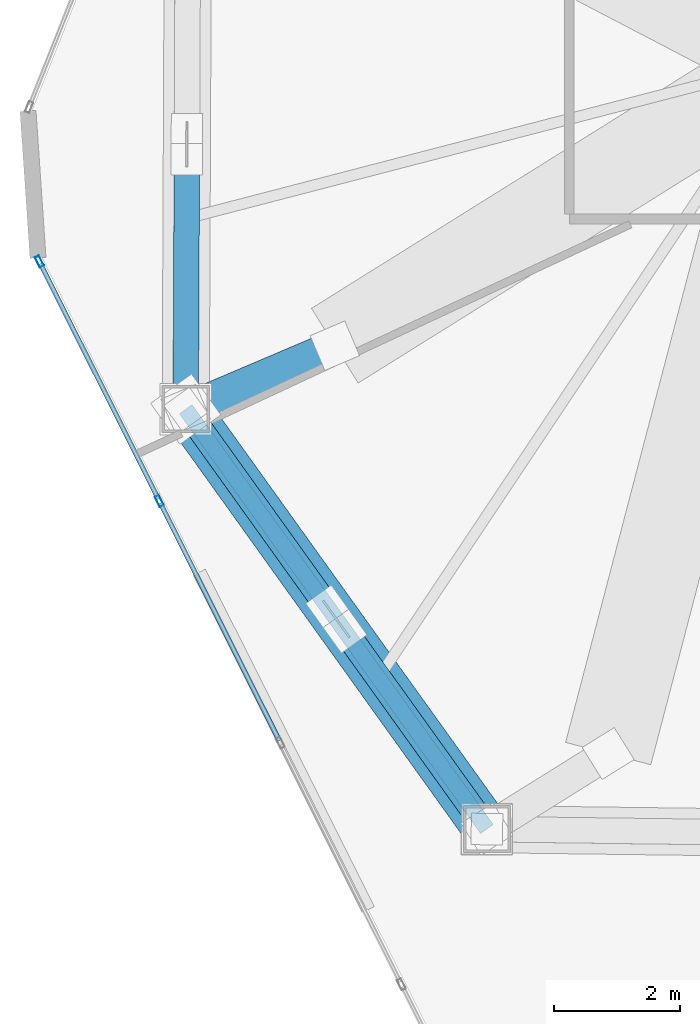
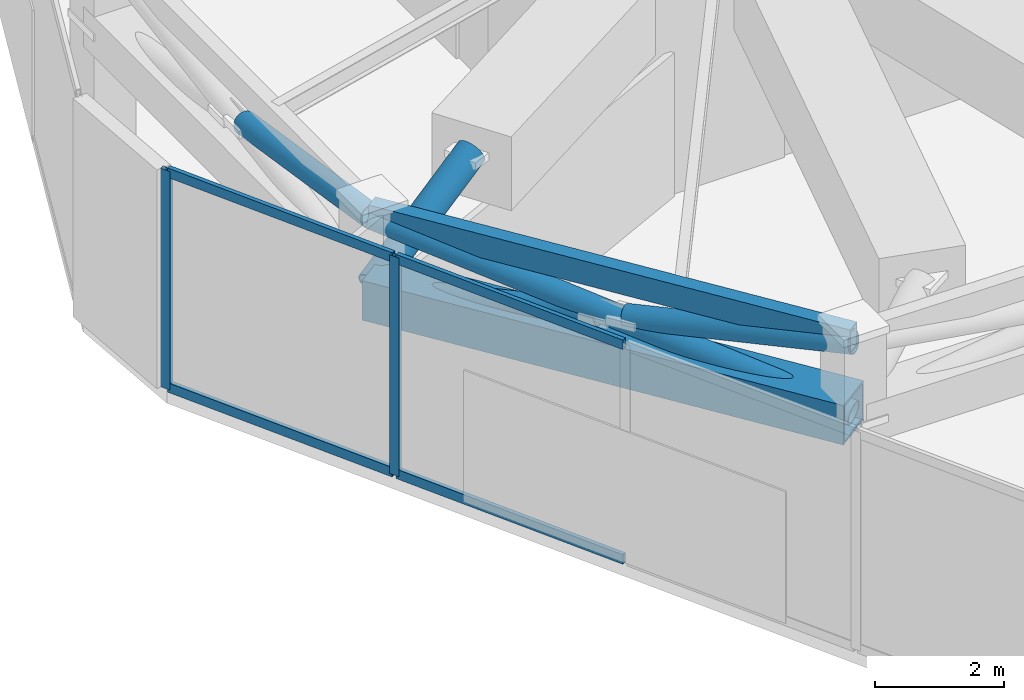
# One storey, part 3 of 21: 12 members, 1 beam, 1 element without a shape of its own.
"""IFC4 building model written with IfcOpenShell, lengths in metres."""

from ifc_helpers import new_model, si_unit, direction, frame, origin, origin_2d, place, context, subcontext, project, spatial, hollow_rectangle, hollow_circle, extrude, source, transform, mapped, material, layer, layer_set, material_profile, profile_set, type_object, type_shapes, element, aggregate, save


model = new_model("IFC4")

# Units and contexts
model_context = context("Model", 3, precision=1e-05, world=origin(), true_north=direction((0.0, 1.0)))
body_context = subcontext(model_context, "Body", "Model", "MODEL_VIEW")
ifc_project = project(units=[si_unit("LENGTHUNIT", "METRE"), si_unit("AREAUNIT", "SQUARE_METRE"), si_unit("VOLUMEUNIT", "CUBIC_METRE"), si_unit("PLANEANGLEUNIT", "RADIAN"), si_unit("MASSUNIT", "GRAM", prefix="KILO")], contexts=[model_context])

# Site, building, storey
site_placement = place(None, origin())
site = spatial("IfcSite", under=ifc_project, at=site_placement, CompositionType="ELEMENT")
building_placement = place(site_placement, origin())
building = spatial("IfcBuilding", under=site, at=building_placement, Name="Talar Marvaseh", CompositionType="ELEMENT")
storey_placement = place(building_placement, frame((0.0, 0.0, 162.39990234375)))
storey = spatial("IfcBuildingStorey", under=building, at=storey_placement, Name="L42", CompositionType="ELEMENT", Elevation=162.39990234375)

# Beam
ifc_material_1 = material(Name="Steel S355", Category="steel")
ifc_material_profile_1 = material_profile(ifc_material_1, hollow_rectangle(XDim=0.25, YDim=0.449951171875, WallThickness=0.01611328125, at=origin_2d()), Name="RHS450x250x16")
ifc_profile_set_1 = profile_set([ifc_material_profile_1], Name="Steel S355")
beam_type = type_object("IfcBeamType", Name="Zone 2 Perimeter Spandrel Beam RHS450x250x16", PredefinedType="SPANDREL", material=ifc_profile_set_1)
beam_placement = place(storey_placement, frame((13.89111328125, 13.299072265625, 3.925048828125), z_axis=(-0.582852871994, 0.812577706812, 0.0), x_axis=(-0.812577706812, -0.582852871994, 0.0)))
element("IfcBeam", 1, at=beam_placement, inside=storey, type_object=beam_type, Name="L42 Zone 2 Perimeter Spandrel Beam RHS450x250x16", PredefinedType="SPANDREL", context=body_context, shape_type="SweptSolid", body=[
    extrude(hollow_rectangle(XDim=0.25, YDim=0.449951171875, WallThickness=0.01611328125, at=origin_2d()), origin(), (0.0, 0.0, 1.0), 8.21826171875),
])

# Members
ifc_material_2 = material(Name="Steel S460", Category="steel")
ifc_material_profile_2 = material_profile(ifc_material_2, hollow_circle(Radius=0.25390625, WallThickness=0.02001953125, at=origin_2d()), Name="CHS508x20")
ifc_profile_set_2 = profile_set([ifc_material_profile_2], Name="Steel S460")
member_type_1 = type_object("IfcMemberType", Name="Crown Frame Diagonal Brace CHS508x20", PredefinedType="BRACE", material=ifc_profile_set_2)
shared_shape_1 = source(origin(), body_context, "Body", "SweptSolid", [
    extrude(hollow_circle(Radius=0.25390625, WallThickness=0.02001953125, at=origin_2d()), origin(), (0.0, 0.0, 1.0), 2.8017578125),
])
type_shapes(member_type_1, [shared_shape_1])
member_1_placement = place(storey_placement, frame((9.10107421875, 19.97705078125, 2.550048828125), z_axis=(0.846230742361, 0.360155664522, 0.392659430036), x_axis=(-0.391608077586, 0.920132117454, 0.0)))
element("IfcMember", 2, at=member_1_placement, inside=storey, type_object=member_type_1, Name="L42 Setback Transfer Raked Strut 9", PredefinedType="BRACE", context=body_context, shape_type="MappedRepresentation", body=[
    mapped(shared_shape_1, transform((0.0, 0.0, 0.0), x_axis=(1.0, 0.0, 0.0), y_axis=(0.0, 1.0, 0.0), z_axis=(0.0, 0.0, 1.0), scale=1.0)),
])
ifc_material_profile_3 = material_profile(ifc_material_2, hollow_rectangle(XDim=0.75, YDim=0.75, WallThickness=0.0400390625, at=origin_2d()), Name="BOX750x750x40")
ifc_profile_set_3 = profile_set([ifc_material_profile_3], Name="Steel S460")
member_type_2 = type_object("IfcMemberType", Name="Belt Truss Chord Member BOX750x750x40", PredefinedType="CHORD", material=ifc_profile_set_3)
shared_shape_2 = source(origin(), body_context, "Body", "SweptSolid", [
    extrude(hollow_rectangle(XDim=0.75, YDim=0.75, WallThickness=0.0400390625, at=origin_2d()), origin(), (0.0, 0.0, 1.0), 8.21826171875),
])
type_shapes(member_type_2, [shared_shape_2])
member_2_placement = place(storey_placement, frame((13.89111328125, 13.299072265625, 2.5), z_axis=(-0.582852871994, 0.812577706812, 0.0), x_axis=(-0.812577706812, -0.582852871994, 0.0)))
element("IfcMember", 3, at=member_2_placement, inside=storey, type_object=member_type_2, Name="L42 Belt Truss Bottom Chord 7", PredefinedType="CHORD", context=body_context, shape_type="MappedRepresentation", body=[
    mapped(shared_shape_2, transform((0.0, 0.0, 0.0), x_axis=(1.0, 0.0, 0.0), y_axis=(0.0, 1.0, 0.0), z_axis=(0.0, 0.0, 1.0), scale=1.0)),
])
ifc_material_profile_4 = material_profile(ifc_material_2, hollow_circle(Radius=0.203125, WallThickness=0.01611328125, at=origin_2d()), Name="CHS406x16")
ifc_profile_set_4 = profile_set([ifc_material_profile_4], Name="Steel S460")
member_type_3 = type_object("IfcMemberType", Name="Belt Truss Diagonal Brace CHS406x16", PredefinedType="BRACE", material=ifc_profile_set_4)
shared_shape_3 = source(origin(), body_context, "Body", "SweptSolid", [
    extrude(hollow_circle(Radius=0.203125, WallThickness=0.01611328125, at=origin_2d()), origin(), (0.0, 0.0, 1.0), 8.328369140625),
])
member_3_placement = place(storey_placement, frame((13.89111328125, 13.299072265625, 2.5), z_axis=(-0.575143563175, 0.801829861545, 0.162107232638), x_axis=(-0.812577706812, -0.582852871994, 0.0)))
element("IfcMember", 4, at=member_3_placement, inside=storey, type_object=member_type_3, Name="L42 Belt Truss Continuous Diagonal 7", PredefinedType="BRACE", context=body_context, shape_type="MappedRepresentation", body=[
    mapped(shared_shape_3, transform((0.0, 0.0, 0.0), x_axis=(1.0, 0.0, 0.0), y_axis=(0.0, 1.0, 0.0), z_axis=(0.0, 0.0, 1.0), scale=1.0)),
])
shared_shape_4 = source(origin(), body_context, "Body", "SweptSolid", [
    extrude(hollow_circle(Radius=0.203125, WallThickness=0.01611328125, at=origin_2d()), origin(), (0.0, 0.0, 1.0), 3.92431640625),
])
member_4_placement = place(storey_placement, frame((9.10107421875, 19.97705078125, 2.5), z_axis=(0.575095085713, -0.801860726932, 0.162126546232), x_axis=(0.812611598929, 0.582805618784, 0.0)))
element("IfcMember", 5, at=member_4_placement, inside=storey, type_object=member_type_3, Name="L42 Belt Truss Split Diagonal Lower 7", PredefinedType="BRACE", context=body_context, shape_type="MappedRepresentation", body=[
    mapped(shared_shape_4, transform((0.0, 0.0, 0.0), x_axis=(1.0, 0.0, 0.0), y_axis=(0.0, 1.0, 0.0), z_axis=(0.0, 0.0, 1.0), scale=1.0)),
])
shared_shape_5 = source(origin(), body_context, "Body", "SweptSolid", [
    extrude(hollow_circle(Radius=0.203125, WallThickness=0.01611328125, at=origin_2d()), origin(), (0.0, 0.0, 1.0), 3.924072265625),
])
member_5_placement = place(storey_placement, frame((11.634033203125, 16.445556640625, 3.214111328125), z_axis=(0.575171211071, -0.801817908954, 0.162068253633), x_axis=(0.812560321703, 0.582877108484, 0.0)))
element("IfcMember", 6, at=member_5_placement, inside=storey, type_object=member_type_3, Name="L42 Belt Truss Split Diagonal Upper 7", PredefinedType="BRACE", context=body_context, shape_type="MappedRepresentation", body=[
    mapped(shared_shape_5, transform((0.0, 0.0, 0.0), x_axis=(1.0, 0.0, 0.0), y_axis=(0.0, 1.0, 0.0), z_axis=(0.0, 0.0, 1.0), scale=1.0)),
])
shared_shape_6 = source(origin(), body_context, "Body", "SweptSolid", [
    extrude(hollow_circle(Radius=0.203125, WallThickness=0.01611328125, at=origin_2d()), origin(), (0.0, 0.0, 1.0), 4.026123046875),
])
type_shapes(member_type_3, [shared_shape_3, shared_shape_4, shared_shape_5, shared_shape_6])
member_6_placement = place(storey_placement, frame((9.118408203125, 23.952392578125, 3.213134765625), z_axis=(-0.004305418824, -0.987396263627, 0.158208981871), x_axis=(0.999990493697, -0.004360334401, 0.0)))
element("IfcMember", 7, at=member_6_placement, inside=storey, type_object=member_type_3, Name="L42 Belt Truss Split Diagonal Upper 8", PredefinedType="BRACE", context=body_context, shape_type="MappedRepresentation", body=[
    mapped(shared_shape_6, transform((0.0, 0.0, 0.0), x_axis=(1.0, 0.0, 0.0), y_axis=(0.0, 1.0, 0.0), z_axis=(0.0, 0.0, 1.0), scale=1.0)),
])

# Curtain wall, members
ifc_material_3 = material(Name="Architectural Aluminium", Category="aluminium")
ifc_layer = layer(ifc_material_3, 0.199951171875)
ifc_layer_set = layer_set([ifc_layer], Name="Architectural Aluminium")
curtain_wall_type = type_object("IfcCurtainWallType", Name="Unitised Acoustic Library Curtain Wall Z2", PredefinedType="NOTDEFINED", material=ifc_layer_set)
curtain_wall_placement = place(storey_placement, origin())
curtain_wall = element("IfcCurtainWall", 8, at=curtain_wall_placement, inside=storey, type_object=curtain_wall_type, Name="L42 Unitised Acoustic Library Curtain Wall Z2", PredefinedType="NOTDEFINED")
ifc_material_profile_5 = material_profile(ifc_material_3, hollow_rectangle(XDim=0.074951171875, YDim=0.179931640625, WallThickness=0.0048828125, at=origin_2d()), Name="RHS180x75x5")
ifc_profile_set_5 = profile_set([ifc_material_profile_5], Name="Architectural Aluminium")
member_type_4 = type_object("IfcMemberType", Name="Unitised Curtain Wall Transom RHS180x75x5", PredefinedType="USERDEFINED", material=ifc_profile_set_5)
shared_shape_7 = source(origin(), body_context, "Body", "SweptSolid", [
    extrude(hollow_rectangle(XDim=0.074951171875, YDim=0.179931640625, WallThickness=0.0048828125, at=origin_2d()), origin(), (0.0, 0.0, 1.0), 4.222900390625),
])
member_7_placement = place(storey_placement, frame((10.5888671875, 14.70751953125, 0.03759765625), z_axis=(-0.447699153665, 0.894184247126, 0.0), x_axis=(-0.894184247126, -0.447699153665, 0.0)))
member_7 = element("IfcMember", 9, at=member_7_placement, type_object=member_type_4, Name="CW-Z2 transom 3.1", ObjectType="TRANSOM", PredefinedType="USERDEFINED", context=body_context, shape_type="MappedRepresentation", body=[
    mapped(shared_shape_7, transform((0.0, 0.0, 0.0), x_axis=(1.0, 0.0, 0.0), y_axis=(0.0, 1.0, 0.0), z_axis=(0.0, 0.0, 1.0), scale=1.0)),
])
member_8_placement = place(storey_placement, frame((10.5888671875, 14.70751953125, 4.112548828125), z_axis=(-0.447699153665, 0.894184247126, 0.0), x_axis=(-0.894184247126, -0.447699153665, 0.0)))
member_8 = element("IfcMember", 10, at=member_8_placement, type_object=member_type_4, Name="CW-Z2 transom 3.2", ObjectType="TRANSOM", PredefinedType="USERDEFINED", context=body_context, shape_type="MappedRepresentation", body=[
    mapped(shared_shape_7, transform((0.0, 0.0, 0.0), x_axis=(1.0, 0.0, 0.0), y_axis=(0.0, 1.0, 0.0), z_axis=(0.0, 0.0, 1.0), scale=1.0)),
])
shared_shape_8 = source(origin(), body_context, "Body", "SweptSolid", [
    extrude(hollow_rectangle(XDim=0.074951171875, YDim=0.179931640625, WallThickness=0.0048828125, at=origin_2d()), origin(), (0.0, 0.0, 1.0), 4.185546875),
])
type_shapes(member_type_4, [shared_shape_7, shared_shape_8])
member_9_placement = place(storey_placement, frame((8.664794921875, 18.550537109375, 0.03759765625), z_axis=(-0.447726809499, 0.894170399899, 0.0), x_axis=(-0.894170399899, -0.447726809499, 0.0)))
member_9 = element("IfcMember", 11, at=member_9_placement, type_object=member_type_4, Name="CW-Z2 transom 4.1", ObjectType="TRANSOM", PredefinedType="USERDEFINED", context=body_context, shape_type="MappedRepresentation", body=[
    mapped(shared_shape_8, transform((0.0, 0.0, 0.0), x_axis=(1.0, 0.0, 0.0), y_axis=(0.0, 1.0, 0.0), z_axis=(0.0, 0.0, 1.0), scale=1.0)),
])
member_10_placement = place(storey_placement, frame((8.664794921875, 18.550537109375, 4.112548828125), z_axis=(-0.447726809499, 0.894170399899, 0.0), x_axis=(-0.894170399899, -0.447726809499, 0.0)))
member_10 = element("IfcMember", 12, at=member_10_placement, type_object=member_type_4, Name="CW-Z2 transom 4.2", ObjectType="TRANSOM", PredefinedType="USERDEFINED", context=body_context, shape_type="MappedRepresentation", body=[
    mapped(shared_shape_8, transform((0.0, 0.0, 0.0), x_axis=(1.0, 0.0, 0.0), y_axis=(0.0, 1.0, 0.0), z_axis=(0.0, 0.0, 1.0), scale=1.0)),
])
ifc_material_profile_6 = material_profile(ifc_material_3, hollow_rectangle(XDim=0.074951171875, YDim=0.179931640625, WallThickness=0.0048828125, at=origin_2d()), Name="RHS180x75x5")
ifc_profile_set_6 = profile_set([ifc_material_profile_6], Name="Architectural Aluminium")
member_type_5 = type_object("IfcMemberType", Name="Unitised Curtain Wall Standard Mullion RHS180x75x5", PredefinedType="MULLION", material=ifc_profile_set_6)
shared_shape_9 = source(origin(), body_context, "Body", "SweptSolid", [
    extrude(hollow_rectangle(XDim=0.074951171875, YDim=0.179931640625, WallThickness=0.0048828125, at=origin_2d()), origin(), (0.0, 0.0, 1.0), 4.150146484375),
])
type_shapes(member_type_5, [shared_shape_9])
member_11_placement = place(storey_placement, frame((8.681396484375, 18.51708984375, 0.0), z_axis=(0.0, 0.0, 1.0), x_axis=(-0.894182751668, -0.447702140513, 0.0)))
member_11 = element("IfcMember", 13, at=member_11_placement, type_object=member_type_5, Name="CW-Z2 mullion 4", PredefinedType="MULLION", context=body_context, shape_type="MappedRepresentation", body=[
    mapped(shared_shape_9, transform((0.0, 0.0, 0.0), x_axis=(1.0, 0.0, 0.0), y_axis=(0.0, 1.0, 0.0), z_axis=(0.0, 0.0, 1.0), scale=1.0)),
])
member_12_placement = place(storey_placement, frame((6.774169921875, 22.32666015625, 0.0), z_axis=(0.0, 0.0, 1.0), x_axis=(-0.894182751668, -0.447702140513, 0.0)))
member_12 = element("IfcMember", 14, at=member_12_placement, type_object=member_type_5, Name="CW-Z2 mullion 5", PredefinedType="MULLION", context=body_context, shape_type="MappedRepresentation", body=[
    mapped(shared_shape_9, transform((0.0, 0.0, 0.0), x_axis=(1.0, 0.0, 0.0), y_axis=(0.0, 1.0, 0.0), z_axis=(0.0, 0.0, 1.0), scale=1.0)),
])
aggregate(curtain_wall, [member_11, member_12, member_7, member_8, member_9, member_10])

save(model, "model.ifc")
